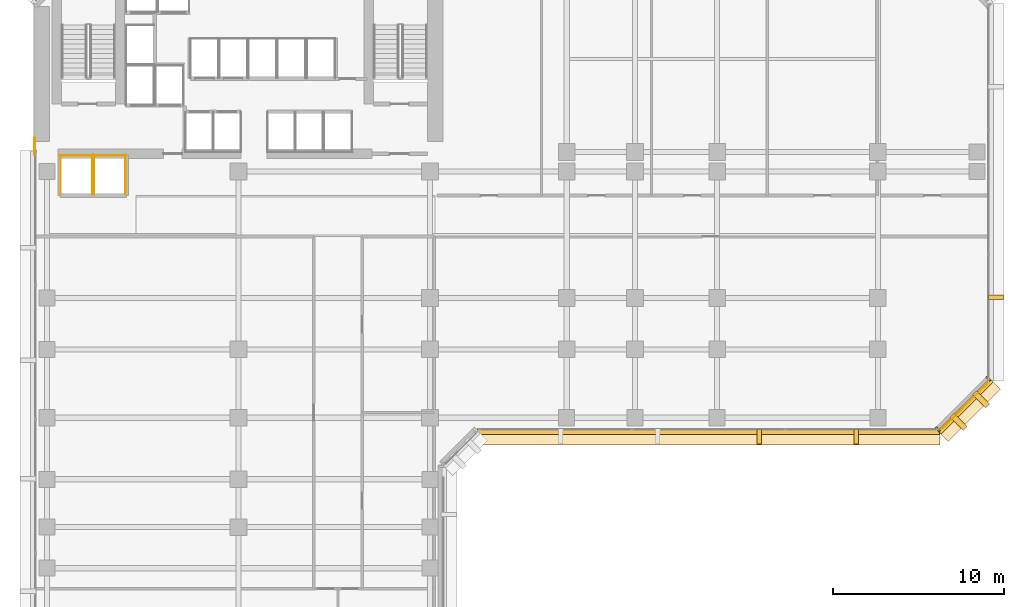
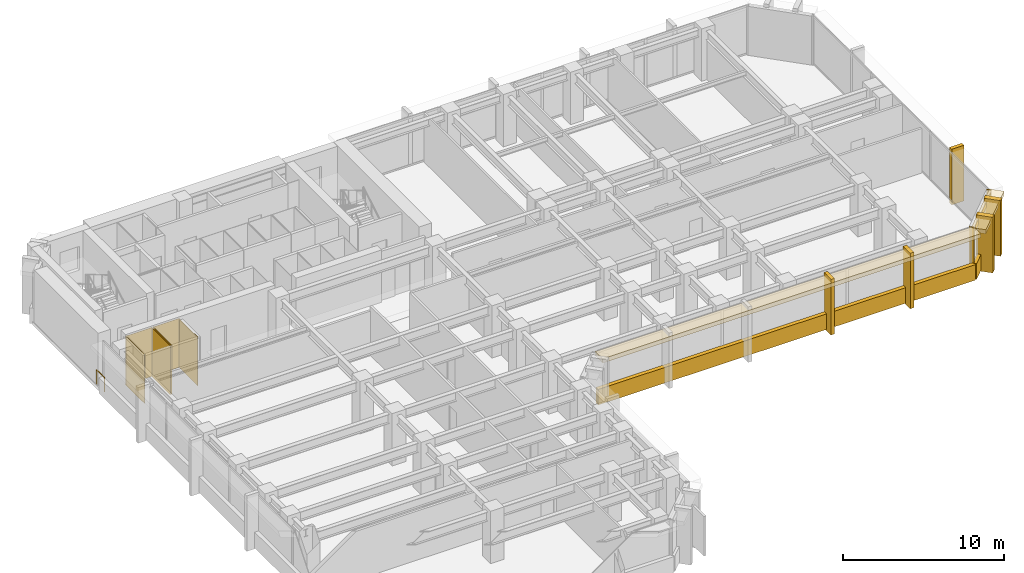
# One storey, part 10 of 13: 18 coverings, 1 railing.
"""IFC4 building model written with IfcOpenShell, lengths in metres."""

import ifcopenshell
import ifcopenshell.guid

model = None  # the IFC model being written
_history = None  # IfcOwnerHistory: only IFC2X3 demands one
_inside = {}  # id of a spatial element -> (the spatial element, [elements in it])
_under = {}  # id of a project, library or spatial element -> (it, [spatial elements below it])
_declared = {}  # id of a project -> (the project, [libraries it declares])
_typed = {}  # id of a type object -> (the type object, [elements of that type])
_made_of = {}  # id of a material, layer set ... -> (it, [elements and type objects made of it])


def new_model(schema):
    """Start an empty IFC model of exactly this schema.

    Asked for "IFC4X3", IfcOpenShell would pick the latest addendum, in which some entities
    have other attributes; the version numbers below select the first issue.
    IFC2X3 requires an IfcOwnerHistory on every rooted entity: one is made here for all.
    """
    global model, _history
    if schema == "IFC4X3":
        model = ifcopenshell.file(schema_version=(4, 3, 0, 0))
    else:
        model = ifcopenshell.file(schema=schema)
    _inside.clear()
    _under.clear()
    _declared.clear()
    _typed.clear()
    _made_of.clear()
    _history = None
    if model.schema == "IFC2X3":
        org = make("IfcOrganization", Name="unknown")
        user = make(
            "IfcPersonAndOrganization",
            ThePerson=make("IfcPerson", FamilyName="unknown"),
            TheOrganization=org,
        )
        app = make(
            "IfcApplication",
            ApplicationDeveloper=org,
            Version="unknown",
            ApplicationFullName="unknown",
            ApplicationIdentifier="unknown",
        )
        _history = make(
            "IfcOwnerHistory",
            OwningUser=user,
            OwningApplication=app,
            ChangeAction="ADDED",
            CreationDate=0,
        )
    return model


def make(cls, **values):
    """One entity of the class cls with the attributes given. An attribute that is None is left unset."""
    return model.create_entity(
        cls, **{name: value for name, value in values.items() if value is not None}
    )


def rooted(cls, **values):
    """An entity with a GlobalId (a new one), such as an element, a storey or a relation."""
    return make(cls, GlobalId=ifcopenshell.guid.new(), OwnerHistory=_history, **values)


def si_unit(unit_type, name, prefix=None):
    """IfcSIUnit, for example si_unit("LENGTHUNIT", "METRE", prefix="MILLI")."""
    return make("IfcSIUnit", UnitType=unit_type, Prefix=prefix, Name=name)


def assignment(units):
    """IfcUnitAssignment: the units of a project."""
    return None if units is None else make("IfcUnitAssignment", Units=units)


def point(xyz):
    """IfcCartesianPoint."""
    return None if xyz is None else make("IfcCartesianPoint", Coordinates=xyz)


def direction(xyz):
    """IfcDirection."""
    return None if xyz is None else make("IfcDirection", DirectionRatios=xyz)


def frame(location, z_axis=None, x_axis=None):
    """IfcAxis2Placement3D, a coordinate frame: its origin and axes. An axis left out is left unset."""
    return make(
        "IfcAxis2Placement3D",
        Location=point(location),
        Axis=direction(z_axis),
        RefDirection=direction(x_axis),
    )


def frame_2d(location, x_axis=None):
    """IfcAxis2Placement2D, a coordinate frame in the plane: its origin and x axis."""
    return make(
        "IfcAxis2Placement2D", Location=point(location), RefDirection=direction(x_axis)
    )


def origin():
    """The frame at (0, 0, 0) with its axes left unset."""
    return frame((0.0, 0.0, 0.0))


def origin_2d():
    """The frame at (0, 0) in the plane with its x axis left unset."""
    return frame_2d((0.0, 0.0))


def place(relative_to, where):
    """IfcLocalPlacement: puts the frame where relative to a parent placement (None: the world)."""
    return make(
        "IfcLocalPlacement", PlacementRelTo=relative_to, RelativePlacement=where
    )


def context(
    kind, dimensions, precision=None, world=None, true_north=None, identifier=None
):
    """IfcGeometricRepresentationContext, for example the 3D "Model" context."""
    return make(
        "IfcGeometricRepresentationContext",
        ContextIdentifier=identifier,
        ContextType=kind,
        CoordinateSpaceDimension=dimensions,
        Precision=precision,
        WorldCoordinateSystem=world,
        TrueNorth=true_north,
    )


def subcontext(parent, identifier, kind, view, scale=None):
    """IfcGeometricRepresentationSubContext, for example "Body" below "Model"."""
    return make(
        "IfcGeometricRepresentationSubContext",
        ContextIdentifier=identifier,
        ContextType=kind,
        ParentContext=parent,
        TargetScale=scale,
        TargetView=view,
    )


def project(units=None, contexts=None):
    """IfcProject with its units and contexts."""
    return rooted(
        "IfcProject",
        Name="project",
        RepresentationContexts=contexts,
        UnitsInContext=assignment(units),
    )


def spatial(cls, under=None, at=None, **own):
    """A site, building, storey or space (cls), placed at a placement, below another one or the project."""
    s = rooted(cls, ObjectPlacement=at, **own)
    if under is not None:
        _under.setdefault(under.id(), (under, []))[1].append(s)
    return s


def polyline(points):
    """IfcPolyline through the points."""
    return make("IfcPolyline", Points=[point(p) for p in points])


def profile(cls, at=None, kind="AREA", **sizes):
    """A parametric profile (cls). Its sizes go by their IFC names, for example OverallWidth=200.0."""
    return make(cls, ProfileType=kind, Position=at, **sizes)


def rectangle(**sizes):
    """IfcRectangleProfileDef."""
    return profile("IfcRectangleProfileDef", **sizes)


def circle(**sizes):
    """IfcCircleProfileDef."""
    return profile("IfcCircleProfileDef", **sizes)


def outline(outer, holes=None, kind="AREA"):
    """IfcArbitraryClosedProfileDef: a profile drawn as a closed curve; with holes, ...WithVoids."""
    if holes is None:
        return make("IfcArbitraryClosedProfileDef", ProfileType=kind, OuterCurve=outer)
    return make(
        "IfcArbitraryProfileDefWithVoids",
        ProfileType=kind,
        OuterCurve=outer,
        InnerCurves=holes,
    )


def extrude(swept, where, along, depth):
    """IfcExtrudedAreaSolid: the profile swept, set in the frame where, extruded along a direction by depth."""
    return make(
        "IfcExtrudedAreaSolid",
        SweptArea=swept,
        Position=where,
        ExtrudedDirection=direction(along),
        Depth=depth,
    )


def shape(context_of_items, identifier, shape_type, items):
    """IfcShapeRepresentation: the items that make up one representation, for example the "Body"."""
    return make(
        "IfcShapeRepresentation",
        ContextOfItems=context_of_items,
        RepresentationIdentifier=identifier,
        RepresentationType=shape_type,
        Items=items,
    )


def material(Name=None, Category=None):
    """IfcMaterial."""
    return make("IfcMaterial", Name=Name, Category=Category)


def layer(
    of_material, thickness, ventilated=None, Name=None, Category=None, Priority=None
):
    """IfcMaterialLayer: one layer of a wall or slab, of a material (None: an air gap)."""
    return make(
        "IfcMaterialLayer",
        Material=of_material,
        LayerThickness=thickness,
        IsVentilated=ventilated,
        Name=Name,
        Category=Category,
        Priority=Priority,
    )


def layer_set(layers, Name=None):
    """IfcMaterialLayerSet."""
    return make("IfcMaterialLayerSet", MaterialLayers=layers, LayerSetName=Name)


def made_of(thing, what):
    """Note that an element or type object is made of a material, layer set ...; save() writes the relation."""
    if what is not None:
        _made_of.setdefault(what.id(), (what, []))[1].append(thing)
    return thing


def type_object(cls, material=None, **own):
    """A type object (cls), such as IfcWallType, which elements share."""
    return made_of(rooted(cls, **own), material)


def element(
    cls,
    number,
    at=None,
    inside=None,
    cuts=None,
    type_object=None,
    material=None,
    context=None,
    identifier="Body",
    shape_type=None,
    held_by="IfcProductDefinitionShape",
    body=None,
    shapes=None,
    **own,
):
    """One element of the class cls, such as IfcWall. Its Tag is "e" and its number.

    at: its placement. inside: the storey or other place that contains it. cuts: it is an
    opening in that element (IfcRelVoidsElement). A single representation is given by context,
    identifier, shape_type and body (its items); several are given by shapes. held_by: the class
    of the entity that holds the representations. save() writes the other relations.
    """
    e = rooted(cls, Tag="e%d" % number, ObjectPlacement=at, **own)
    if body is not None:
        shapes = [shape(context, identifier, shape_type, body)]
    if shapes is not None:
        e.Representation = make(held_by, Representations=shapes)
    if inside is not None:
        _inside.setdefault(inside.id(), (inside, []))[1].append(e)
    if cuts is not None:
        rooted(
            "IfcRelVoidsElement", RelatingBuildingElement=cuts, RelatedOpeningElement=e
        )
    if type_object is not None:
        _typed.setdefault(type_object.id(), (type_object, []))[1].append(e)
    return made_of(e, material)


def aggregate(whole, parts):
    """IfcRelAggregates: a whole, such as a stair, and the parts it consists of."""
    return rooted("IfcRelAggregates", RelatingObject=whole, RelatedObjects=parts)


def save(model, path):
    """Write the relations noted so far, then the file.

    IfcRelAggregates (storeys below a building ...), IfcRelContainedInSpatialStructure (elements
    in a storey), IfcRelDefinesByType, IfcRelAssociatesMaterial and IfcRelDeclares: one each for
    every whole, place, type object, material and project.
    """
    for whole, parts in _under.values():
        aggregate(whole, parts)
    for where, things in _inside.values():
        rooted(
            "IfcRelContainedInSpatialStructure",
            RelatedElements=things,
            RelatingStructure=where,
        )
    for kind, things in _typed.values():
        rooted("IfcRelDefinesByType", RelatedObjects=things, RelatingType=kind)
    for what, things in _made_of.values():
        rooted("IfcRelAssociatesMaterial", RelatedObjects=things, RelatingMaterial=what)
    for by, libraries in _declared.values():
        rooted("IfcRelDeclares", RelatingContext=by, RelatedDefinitions=libraries)
    model.write(path)


model = new_model("IFC4")

# Units and contexts
model_context = context("Model", 3, precision=1e-05, world=origin(), true_north=direction((0.0, 1.0)))
body_context = subcontext(model_context, "Body", "Model", "MODEL_VIEW")
ifc_project = project(units=[si_unit("LENGTHUNIT", "METRE"), si_unit("AREAUNIT", "SQUARE_METRE"), si_unit("VOLUMEUNIT", "CUBIC_METRE"), si_unit("PLANEANGLEUNIT", "RADIAN"), si_unit("MASSUNIT", "GRAM", prefix="KILO")], contexts=[model_context])

# Site, building, storey
site_placement = place(None, origin())
site = spatial("IfcSite", under=ifc_project, at=site_placement, CompositionType="ELEMENT")
building_placement = place(site_placement, origin())
building = spatial("IfcBuilding", under=site, at=building_placement, Name="Kefirva Bronze Tower", CompositionType="ELEMENT")
storey_placement = place(building_placement, frame((0.0, 0.0, 69.9599609375)))
storey = spatial("IfcBuildingStorey", under=building, at=storey_placement, Name="L16", CompositionType="ELEMENT", Elevation=69.9599609375)

# Coverings
ifc_material_1 = material(Name="Bronze anodised aluminium", Category="aluminium")
ifc_layer_1 = layer(ifc_material_1, 0.02001953125, Name="Bronze anodised aluminium")
ifc_layer_set_1 = layer_set([ifc_layer_1], Name="Bronze anodised aluminium")
covering_type_1 = type_object("IfcCoveringType", Name="Anodised Bronze Spandrel Cladding 20mm", PredefinedType="CLADDING", material=ifc_layer_set_1)
covering_1_placement = place(storey_placement, frame((39.5, 17.9599609375, -0.16015625), z_axis=(0.0, 0.0, 1.0), x_axis=(1.0, 0.0, 0.0)))
element("IfcCovering", 1, at=covering_1_placement, inside=storey, type_object=covering_type_1, Name="L16 Streamline Horizontal Spandrel Band 4", PredefinedType="CLADDING", context=body_context, shape_type="SweptSolid", body=[
    extrude(rectangle(XDim=27.0400390625, YDim=0.280029296875, at=origin_2d()), origin(), (0.0, 0.0, 1.0), 1.179931640625),
])
covering_2_placement = place(storey_placement, frame((54.507080078125, 19.492919921875, 3.2900390625), z_axis=(0.0, 0.0, 1.0), x_axis=(0.707106781187, 0.707106781187, 0.0)))
element("IfcCovering", 2, at=covering_2_placement, inside=storey, type_object=covering_type_1, Name="L16 Bronze Spandrel Cladding 4", PredefinedType="CLADDING", context=body_context, shape_type="SweptSolid", body=[
    extrude(rectangle(XDim=3.719482421875, YDim=0.02001953125, at=origin_2d()), origin(), (0.0, 0.0, 1.0), 0.39990234375),
])
for number, where, z_axis, x_axis, name in (
    (3, (52.91162109375, 18.137939453125, 0.0), (0.0, 0.0, 1.0), (0.707106781187, 0.707106781187, 0.0), "L16 Facade Joint Closure Panel 4S"),
    (4, (55.862060546875, 21.08837890625, 0.0), (0.0, 0.0, 1.0), (0.707106781187, 0.707106781187, 0.0), "L16 Facade Joint Closure Panel 4E"),
):
    element("IfcCovering", number, at=place(storey_placement, frame(where, z_axis=z_axis, x_axis=x_axis)), inside=storey, type_object=covering_type_1, Name=name, PredefinedType="CLADDING", context=body_context, shape_type="SweptSolid", body=[
        extrude(rectangle(XDim=0.10009765625, YDim=0.320068359375, at=origin_2d()), origin(), (0.0, 0.0, 1.0), 3.7099609375),
    ])
covering_3_placement = place(storey_placement, frame((54.5283203125, 19.4716796875, -0.16015625), z_axis=(0.0, 0.0, 1.0), x_axis=(0.707106781187, 0.707106781187, 0.0)))
element("IfcCovering", 5, at=covering_3_placement, inside=storey, type_object=covering_type_1, Name="L16 Streamline Horizontal Spandrel Band 5", PredefinedType="CLADDING", context=body_context, shape_type="SweptSolid", body=[
    extrude(rectangle(XDim=4.28271484375, YDim=0.280029296875, at=origin_2d()), origin(), (0.0, 0.0, 1.0), 1.179931640625),
])
covering_4_placement = place(storey_placement, origin())
element("IfcCovering", 6, at=covering_4_placement, inside=storey, type_object=covering_type_1, Name="L16 Lift OB1 Hoistway Liner N", PredefinedType="CLADDING", context=body_context, shape_type="SweptSolid", body=[
    extrude(outline(polyline([(1.580078125, 34.139892578125), (3.469970703125, 34.139892578125), (3.469970703125, 34.159912109375), (1.580078125, 34.159912109375), (1.580078125, 34.139892578125)])), origin(), (0.0, 0.0, 1.0), 3.7099609375),
])
covering_5_placement = place(storey_placement, origin())
element("IfcCovering", 7, at=covering_5_placement, inside=storey, type_object=covering_type_1, Name="L16 Lift OB1 Hoistway Liner W", PredefinedType="CLADDING", context=body_context, shape_type="SweptSolid", body=[
    extrude(outline(polyline([(1.590087890625, 31.830078125), (1.610107421875, 31.830078125), (1.610107421875, 34.169921875), (1.590087890625, 34.169921875), (1.590087890625, 31.830078125)])), origin(), (0.0, 0.0, 1.0), 3.7099609375),
])
covering_6_placement = place(storey_placement, origin())
element("IfcCovering", 8, at=covering_6_placement, inside=storey, type_object=covering_type_1, Name="L16 Lift OB1 Hoistway Liner E", PredefinedType="CLADDING", context=body_context, shape_type="SweptSolid", body=[
    extrude(outline(polyline([(3.43994140625, 31.830078125), (3.4599609375, 31.830078125), (3.4599609375, 34.169921875), (3.43994140625, 34.169921875), (3.43994140625, 31.830078125)])), origin(), (0.0, 0.0, 1.0), 3.7099609375),
])
covering_7_placement = place(storey_placement, origin())
element("IfcCovering", 9, at=covering_7_placement, inside=storey, type_object=covering_type_1, Name="L16 Lift OB2 Hoistway Liner N", PredefinedType="CLADDING", context=body_context, shape_type="SweptSolid", body=[
    extrude(outline(polyline([(3.530029296875, 34.139892578125), (5.419921875, 34.139892578125), (5.419921875, 34.159912109375), (3.530029296875, 34.159912109375), (3.530029296875, 34.139892578125)])), origin(), (0.0, 0.0, 1.0), 3.7099609375),
])
covering_8_placement = place(storey_placement, origin())
element("IfcCovering", 10, at=covering_8_placement, inside=storey, type_object=covering_type_1, Name="L16 Lift OB2 Hoistway Liner W", PredefinedType="CLADDING", context=body_context, shape_type="SweptSolid", body=[
    extrude(outline(polyline([(3.5400390625, 31.830078125), (3.56005859375, 31.830078125), (3.56005859375, 34.169921875), (3.5400390625, 34.169921875), (3.5400390625, 31.830078125)])), origin(), (0.0, 0.0, 1.0), 3.7099609375),
])
covering_9_placement = place(storey_placement, origin())
element("IfcCovering", 11, at=covering_9_placement, inside=storey, type_object=covering_type_1, Name="L16 Lift OB2 Hoistway Liner E", PredefinedType="CLADDING", context=body_context, shape_type="SweptSolid", body=[
    extrude(outline(polyline([(5.389892578125, 31.830078125), (5.409912109375, 31.830078125), (5.409912109375, 34.169921875), (5.389892578125, 34.169921875), (5.389892578125, 31.830078125)])), origin(), (0.0, 0.0, 1.0), 3.7099609375),
])

# Railing
ifc_material_2 = material(Name="Stainless steel 316", Category="steel")
railing_type = type_object("IfcRailingType", Name="Interior Stair Guardrail 1100mm", PredefinedType="GUARDRAIL", material=ifc_material_2)
railing_placement = place(storey_placement, frame((0.080078125, 34.199951171875, 0.0)))
element("IfcRailing", 12, at=railing_placement, inside=storey, type_object=railing_type, Name="L16 West Core Junction Guardrail", PredefinedType="GUARDRAIL", context=body_context, shape_type="SweptSolid", body=[
    extrude(circle(Radius=0.02392578125, at=origin_2d()), frame((0.0, 0.0, 1.076171875), z_axis=(0.0, 1.0, 0.0), x_axis=(-1.0, 0.0, 0.0)), (0.0, 0.0, 1.0), 0.949951171875),
    extrude(circle(Radius=0.02099609375, at=origin_2d()), origin(), (0.0, 0.0, 1.0), 1.052001953125),
    extrude(circle(Radius=0.02099609375, at=origin_2d()), frame((0.0, 0.949951171875, 0.0)), (0.0, 0.0, 1.0), 1.052001953125),
])

# Coverings
ifc_layer_2 = layer(ifc_material_1, 0.179931640625, Name="Bronze anodised aluminium")
ifc_layer_set_2 = layer_set([ifc_layer_2], Name="Bronze anodised aluminium")
covering_type_2 = type_object("IfcCoveringType", Name="Streamline Bronze Sunshade Eyebrow Cladding 180mm", PredefinedType="CLADDING", material=ifc_layer_set_2)
covering_10_placement = place(storey_placement, frame((39.5, 17.68994140625, 3.39013671875), z_axis=(0.0, 0.0, 1.0), x_axis=(1.0, 0.0, 0.0)))
element("IfcCovering", 13, at=covering_10_placement, inside=storey, type_object=covering_type_2, Name="L16 Streamline Bronze Sunshade Eyebrow 4", PredefinedType="CLADDING", context=body_context, shape_type="SweptSolid", body=[
    extrude(rectangle(XDim=27.080078125, YDim=0.93994140625, at=origin_2d()), origin(), (0.0, 0.0, 1.0), 0.320068359375),
])
covering_11_placement = place(storey_placement, frame((54.71923828125, 19.28076171875, 3.39013671875), z_axis=(0.0, 0.0, 1.0), x_axis=(0.707106781187, 0.707106781187, 0.0)))
element("IfcCovering", 14, at=covering_11_placement, inside=storey, type_object=covering_type_2, Name="L16 Streamline Bronze Sunshade Eyebrow 5", PredefinedType="CLADDING", context=body_context, shape_type="SweptSolid", body=[
    extrude(rectangle(XDim=4.322509765625, YDim=0.93994140625, at=origin_2d()), origin(), (0.0, 0.0, 1.0), 0.320068359375),
])
ifc_layer_3 = layer(ifc_material_1, 0.260009765625, Name="Bronze anodised aluminium")
ifc_layer_set_3 = layer_set([ifc_layer_3], Name="Bronze anodised aluminium")
covering_type_3 = type_object("IfcCoveringType", Name="Unbroken Bronze Buttress Fin Cladding 260mm", PredefinedType="CLADDING", material=ifc_layer_set_3)
for number, where, z_axis, x_axis, name in (
    (15, (42.469970703125, 17.699951171875, -0.25), (0.0, 0.0, 1.0), (1.0, 0.0, 0.0), "L16 Unbroken Vertical Bronze Rib Fin 11"),
    (16, (48.139892578125, 17.699951171875, -0.25), (0.0, 0.0, 1.0), (1.0, 0.0, 0.0), "L16 Unbroken Vertical Bronze Rib Fin 12"),
):
    element("IfcCovering", number, at=place(storey_placement, frame(where, z_axis=z_axis, x_axis=x_axis)), inside=storey, type_object=covering_type_3, Name=name, PredefinedType="CLADDING", context=body_context, shape_type="SweptSolid", body=[
        extrude(rectangle(XDim=0.260009765625, YDim=0.8798828125, at=origin_2d()), origin(), (0.0, 0.0, 1.0), 4.2099609375),
    ])
for number, where, z_axis, x_axis, name in (
    (17, (54.122802734375, 18.55712890625, -0.25), (0.0, 0.0, 1.0), (0.707106781187, 0.707106781187, 0.0), "L16 Chamfered Corner Buttress Fin Cladding 13"),
    (18, (55.44287109375, 19.877197265625, -0.25), (0.0, 0.0, 1.0), (0.707106781187, 0.707106781187, 0.0), "L16 Chamfered Corner Buttress Fin Cladding 14"),
):
    element("IfcCovering", number, at=place(storey_placement, frame(where, z_axis=z_axis, x_axis=x_axis)), inside=storey, type_object=covering_type_3, Name=name, PredefinedType="CLADDING", context=body_context, shape_type="SweptSolid", body=[
        extrude(rectangle(XDim=0.340087890625, YDim=1.080078125, at=origin_2d()), origin(), (0.0, 0.0, 1.0), 4.2099609375),
    ])
covering_12_placement = place(storey_placement, frame((56.300048828125, 25.840087890625, -0.25), z_axis=(0.0, 0.0, 1.0), x_axis=(0.0, 1.0, 0.0)))
element("IfcCovering", 19, at=covering_12_placement, inside=storey, type_object=covering_type_3, Name="L16 Unbroken Vertical Bronze Rib Fin 15", PredefinedType="CLADDING", context=body_context, shape_type="SweptSolid", body=[
    extrude(rectangle(XDim=0.260009765625, YDim=0.8798828125, at=origin_2d()), origin(), (0.0, 0.0, 1.0), 4.2099609375),
])

save(model, "model.ifc")
